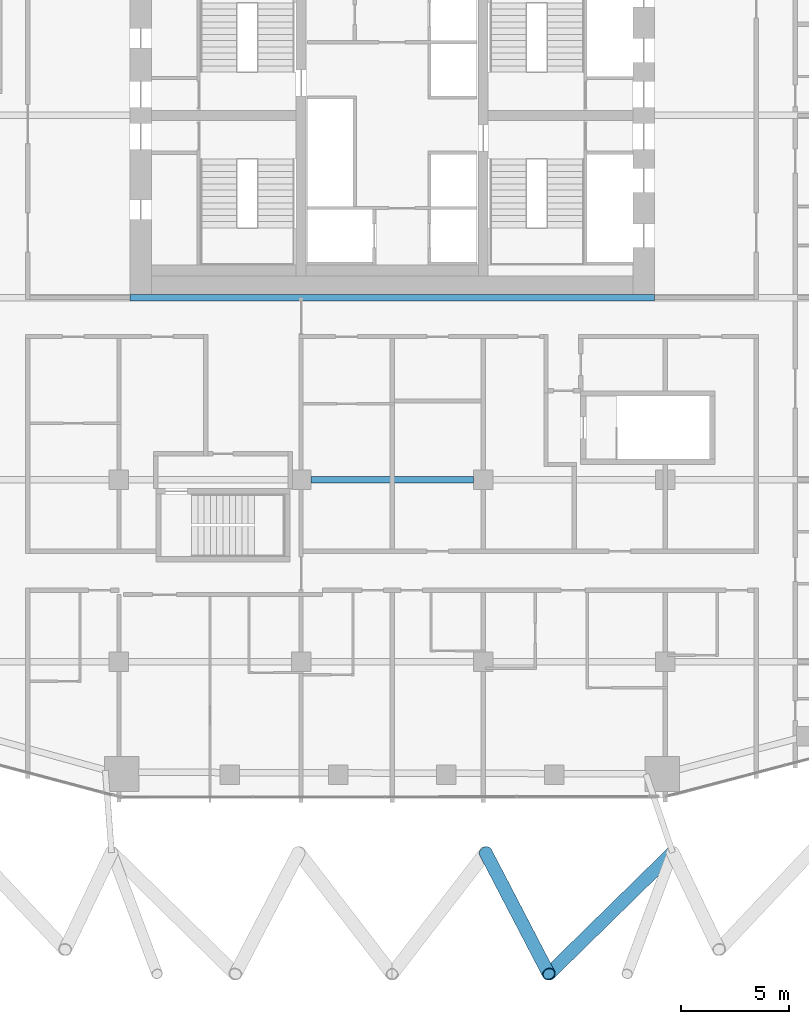
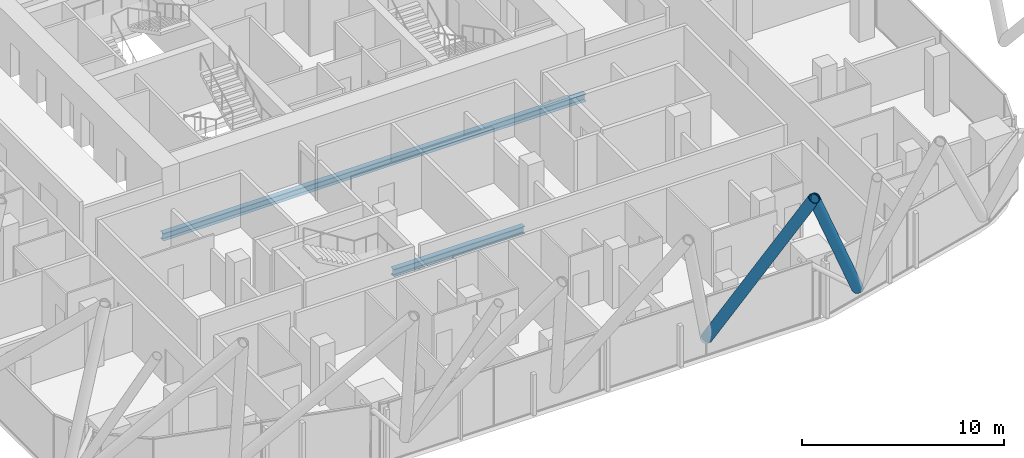
# One storey, part 5 of 34: 2 beams, 2 members.
"""IFC4 building model written with IfcOpenShell, lengths in metres."""

from ifc_helpers import new_model, si_unit, direction, frame, origin, origin_2d, place, context, subcontext, project, spatial, hollow_circle, i_section, extrude, material, material_profile, profile_set, type_object, element, save


model = new_model("IFC4")

# Units and contexts
model_context = context("Model", 3, precision=1e-05, world=origin(), true_north=direction((0.0, 1.0)))
body_context = subcontext(model_context, "Body", "Model", "MODEL_VIEW")
ifc_project = project(units=[si_unit("LENGTHUNIT", "METRE"), si_unit("AREAUNIT", "SQUARE_METRE"), si_unit("VOLUMEUNIT", "CUBIC_METRE"), si_unit("PLANEANGLEUNIT", "RADIAN"), si_unit("MASSUNIT", "GRAM", prefix="KILO")], contexts=[model_context])

# Site, building, storey
site_placement = place(None, origin())
site = spatial("IfcSite", under=ifc_project, at=site_placement, CompositionType="ELEMENT")
building_placement = place(site_placement, origin())
building = spatial("IfcBuilding", under=site, at=building_placement, Name="Marenta Gate Hotel Tower", CompositionType="ELEMENT")
storey_placement = place(building_placement, frame((0.0, 0.0, 166.10009765625)))
storey = spatial("IfcBuildingStorey", under=building, at=storey_placement, Name="L39", CompositionType="ELEMENT", Elevation=166.10009765625)

# Members
ifc_material_1 = material(Name="Steel S355J2W", Category="steel")
ifc_material_profile_1 = material_profile(ifc_material_1, hollow_circle(Radius=0.304931640625, WallThickness=0.0400390625, at=origin_2d()), Name="CHS 610x40")
ifc_profile_set_1 = profile_set([ifc_material_profile_1], Name="Steel S355J2W")
member_type = type_object("IfcMemberType", Name="Diagrid diagonal T2 CHS 610x40", PredefinedType="BRACE", material=ifc_profile_set_1)
member_1_placement = place(storey_placement, frame((12.93896484375, -25.60009765625, 3.139892578125), z_axis=(-0.425062815375, -0.416652384455, 0.803568536911), x_axis=(0.700006416032, -0.714136553828, 0.0)))
element("IfcMember", 1, at=member_1_placement, inside=storey, type_object=member_type, Name="L39-DG-15", PredefinedType="BRACE", context=body_context, shape_type="SweptSolid", body=[
    extrude(hollow_circle(Radius=0.304931640625, WallThickness=0.0400390625, at=origin_2d()), origin(), (0.0, 0.0, 1.0), 13.440185546875),
])
member_2_placement = place(storey_placement, frame((4.31298828125, -25.60009765625, 3.139892578125), z_axis=(0.232871461231, -0.447651081651, 0.863353572785), x_axis=(0.887141431973, 0.461497648616, 0.0)))
element("IfcMember", 2, at=member_2_placement, inside=storey, type_object=member_type, Name="L39-DG-16", PredefinedType="BRACE", context=body_context, shape_type="SweptSolid", body=[
    extrude(hollow_circle(Radius=0.304931640625, WallThickness=0.0400390625, at=origin_2d()), origin(), (0.0, 0.0, 1.0), 12.509521484375),
])

# Beams
ifc_material_2 = material(Name="Steel S355", Category="steel")
ifc_material_profile_2 = material_profile(ifc_material_2, i_section(OverallWidth=0.300048828125, OverallDepth=0.449951171875, WebThickness=0.013916015625, FlangeThickness=0.02587890625, FilletRadius=0.027099609375, at=origin_2d()), Name="HEB 450")
ifc_profile_set_2 = profile_set([ifc_material_profile_2], Name="Steel S355")
beam_type = type_object("IfcBeamType", Name="Girder HEB 450", PredefinedType="BEAM", material=ifc_profile_set_2)
beam_1_placement = place(storey_placement, frame((-3.75, -8.39990234375, -0.485107421875), z_axis=(1.0, 0.0, 0.0), x_axis=(0.0, 1.0, 0.0)))
element("IfcBeam", 3, at=beam_1_placement, inside=storey, type_object=beam_type, Name="L39-GD-11", PredefinedType="BEAM", context=body_context, shape_type="SweptSolid", body=[
    extrude(i_section(OverallWidth=0.300048828125, OverallDepth=0.449951171875, WebThickness=0.013916015625, FlangeThickness=0.02587890625, FilletRadius=0.027099609375, at=origin_2d()), origin(), (0.0, 0.0, 1.0), 7.5),
])
beam_2_placement = place(storey_placement, frame((-12.10009765625, 0.0, -0.485107421875), z_axis=(1.0, 0.0, 0.0), x_axis=(0.0, 1.0, 0.0)))
element("IfcBeam", 4, at=beam_2_placement, inside=storey, type_object=beam_type, Name="L39-GD-17", PredefinedType="BEAM", context=body_context, shape_type="SweptSolid", body=[
    extrude(i_section(OverallWidth=0.300048828125, OverallDepth=0.449951171875, WebThickness=0.013916015625, FlangeThickness=0.02587890625, FilletRadius=0.027099609375, at=origin_2d()), origin(), (0.0, 0.0, 1.0), 24.2001953125),
])

save(model, "model.ifc")
